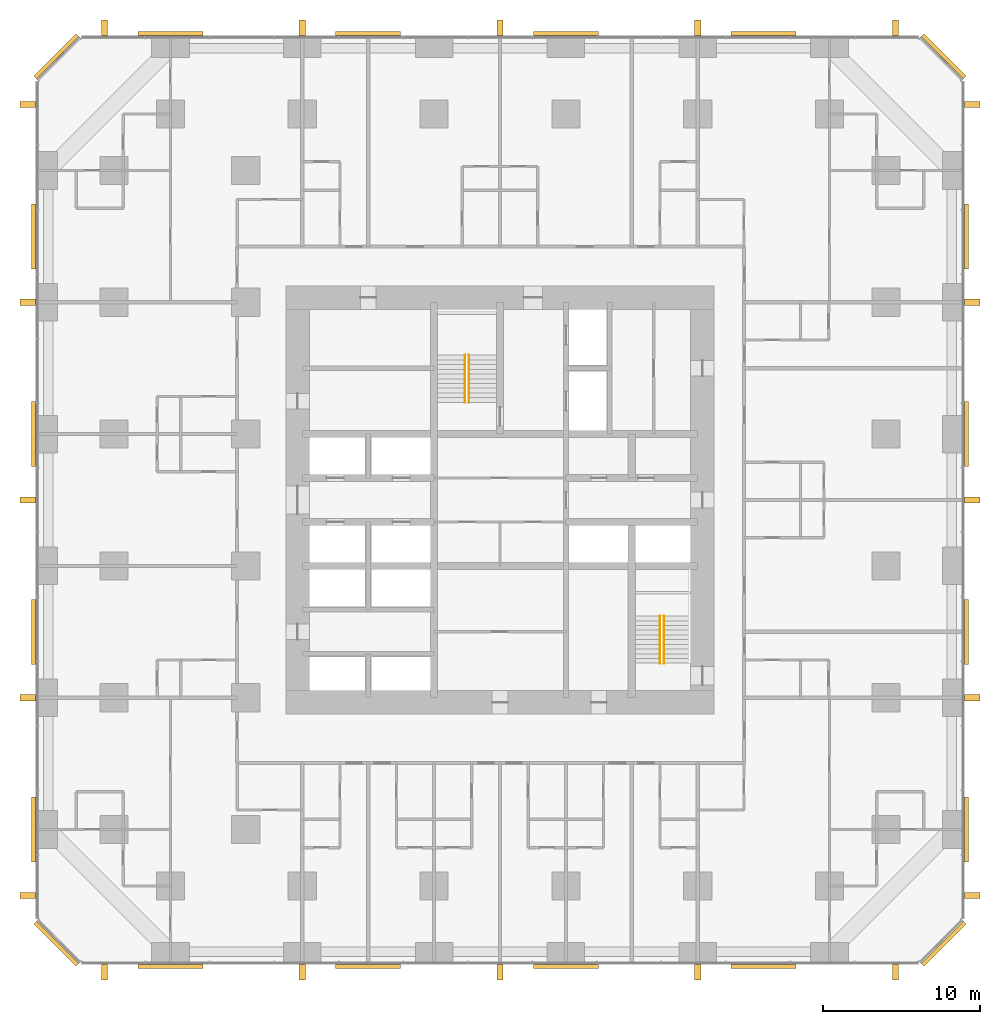
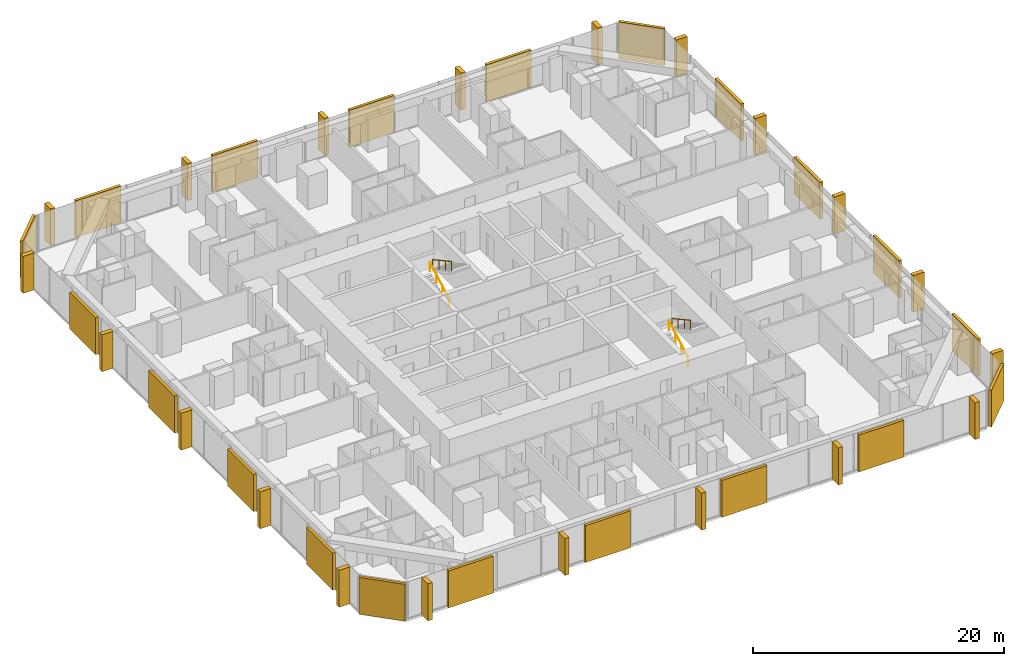
# One storey, part 17 of 17: 20 coverings, 20 shading devices, 4 railings.
"""IFC4 building model written with IfcOpenShell, lengths in metres."""

from ifc_helpers import new_model, si_unit, direction, frame, origin, origin_2d, place, context, subcontext, project, spatial, rectangle, circle, extrude, material, layer, layer_set, type_object, element, save


model = new_model("IFC4")

# Units and contexts
model_context = context("Model", 3, precision=1e-05, world=origin(), true_north=direction((0.0, 1.0)))
body_context = subcontext(model_context, "Body", "Model", "MODEL_VIEW")
ifc_project = project(units=[si_unit("LENGTHUNIT", "METRE"), si_unit("AREAUNIT", "SQUARE_METRE"), si_unit("VOLUMEUNIT", "CUBIC_METRE"), si_unit("PLANEANGLEUNIT", "RADIAN"), si_unit("MASSUNIT", "GRAM", prefix="KILO")], contexts=[model_context])

# Site, building, storey
site_placement = place(None, origin())
site = spatial("IfcSite", under=ifc_project, at=site_placement, CompositionType="ELEMENT")
building_placement = place(site_placement, origin())
building = spatial("IfcBuilding", under=site, at=building_placement, Name="Dunama Terrace Hotel", CompositionType="ELEMENT")
storey_placement = place(building_placement, frame((0.0, 0.0, 70.199951171875)))
storey = spatial("IfcBuildingStorey", under=building, at=storey_placement, Name="L17", CompositionType="ELEMENT", Elevation=70.199951171875)

# Railings
ifc_material_1 = material(Name="Stainless steel handrail", Category="steel")
railing_type = type_object("IfcRailingType", Name="Stair handrail 900", PredefinedType="HANDRAIL", material=ifc_material_1)
railing_1_placement = place(storey_placement, frame((27.175048828125, 35.625, 0.16357421875)))
element("IfcRailing", 1, at=railing_1_placement, inside=storey, type_object=railing_type, Name="Handrail ST1 L17", PredefinedType="HANDRAIL", context=body_context, shape_type="SweptSolid", body=[
    extrude(circle(Radius=0.02392578125, at=origin_2d()), frame((0.0, 0.0, 0.8759765625), z_axis=(0.0, 0.877881921179, 0.478877158013), x_axis=(-1.0, 0.0, 0.0)), (0.0, 0.0, 1.0), 3.417236328125),
    extrude(circle(Radius=0.02099609375, at=origin_2d()), origin(), (0.0, 0.0, 1.0), 0.851806640625),
    extrude(circle(Radius=0.02099609375, at=origin_2d()), frame((0.0, 1.0, 0.54541015625)), (0.0, 0.0, 1.0), 0.851806640625),
    extrude(circle(Radius=0.02099609375, at=origin_2d()), frame((0.0, 2.0, 1.091064453125)), (0.0, 0.0, 1.0), 0.851806640625),
    extrude(circle(Radius=0.02099609375, at=origin_2d()), frame((0.0, 3.0, 1.636474609375)), (0.0, 0.0, 1.0), 0.851806640625),
])
railing_2_placement = place(storey_placement, frame((27.425048828125, 38.625, 1.963623046875)))
element("IfcRailing", 2, at=railing_2_placement, inside=storey, type_object=railing_type, Name="Handrail ST1 L17", PredefinedType="HANDRAIL", context=body_context, shape_type="SweptSolid", body=[
    extrude(circle(Radius=0.02392578125, at=origin_2d()), frame((0.0, 0.0, 0.8759765625), z_axis=(0.0, -0.877881921179, 0.478877158013), x_axis=(1.0, 0.0, 0.0)), (0.0, 0.0, 1.0), 3.417236328125),
    extrude(circle(Radius=0.02099609375, at=origin_2d()), origin(), (0.0, 0.0, 1.0), 0.851806640625),
    extrude(circle(Radius=0.02099609375, at=origin_2d()), frame((0.0, -1.0, 0.54541015625)), (0.0, 0.0, 1.0), 0.851806640625),
    extrude(circle(Radius=0.02099609375, at=origin_2d()), frame((0.0, -2.0, 1.091064453125)), (0.0, 0.0, 1.0), 0.851806640625),
    extrude(circle(Radius=0.02099609375, at=origin_2d()), frame((0.0, -3.0, 1.636474609375)), (0.0, 0.0, 1.0), 0.851806640625),
])
railing_3_placement = place(storey_placement, frame((39.60009765625, 19.0, 0.16357421875)))
element("IfcRailing", 3, at=railing_3_placement, inside=storey, type_object=railing_type, Name="Handrail ST2 L17", PredefinedType="HANDRAIL", context=body_context, shape_type="SweptSolid", body=[
    extrude(circle(Radius=0.02392578125, at=origin_2d()), frame((0.0, 0.0, 0.8759765625), z_axis=(0.0, 0.877881921179, 0.478877158013), x_axis=(-1.0, 0.0, 0.0)), (0.0, 0.0, 1.0), 3.417236328125),
    extrude(circle(Radius=0.02099609375, at=origin_2d()), origin(), (0.0, 0.0, 1.0), 0.851806640625),
    extrude(circle(Radius=0.02099609375, at=origin_2d()), frame((0.0, 1.0, 0.54541015625)), (0.0, 0.0, 1.0), 0.851806640625),
    extrude(circle(Radius=0.02099609375, at=origin_2d()), frame((0.0, 2.0, 1.091064453125)), (0.0, 0.0, 1.0), 0.851806640625),
    extrude(circle(Radius=0.02099609375, at=origin_2d()), frame((0.0, 3.0, 1.636474609375)), (0.0, 0.0, 1.0), 0.851806640625),
])
railing_4_placement = place(storey_placement, frame((39.85009765625, 22.0, 1.963623046875)))
element("IfcRailing", 4, at=railing_4_placement, inside=storey, type_object=railing_type, Name="Handrail ST2 L17", PredefinedType="HANDRAIL", context=body_context, shape_type="SweptSolid", body=[
    extrude(circle(Radius=0.02392578125, at=origin_2d()), frame((0.0, 0.0, 0.8759765625), z_axis=(0.0, -0.877881921179, 0.478877158013), x_axis=(1.0, 0.0, 0.0)), (0.0, 0.0, 1.0), 3.417236328125),
    extrude(circle(Radius=0.02099609375, at=origin_2d()), origin(), (0.0, 0.0, 1.0), 0.851806640625),
    extrude(circle(Radius=0.02099609375, at=origin_2d()), frame((0.0, -1.0, 0.54541015625)), (0.0, 0.0, 1.0), 0.851806640625),
    extrude(circle(Radius=0.02099609375, at=origin_2d()), frame((0.0, -2.0, 1.091064453125)), (0.0, 0.0, 1.0), 0.851806640625),
    extrude(circle(Radius=0.02099609375, at=origin_2d()), frame((0.0, -3.0, 1.636474609375)), (0.0, 0.0, 1.0), 0.851806640625),
])

# Coverings
ifc_material_2 = material(Name="Warm reconstituted stone panel", Category="masonry")
ifc_layer_1 = layer(ifc_material_2, 0.25)
ifc_layer_set_1 = layer_set([ifc_layer_1], Name="Stone diagonal panel")
covering_type = type_object("IfcCoveringType", Name="Stone diagonal panel", PredefinedType="CLADDING", material=ifc_layer_set_1)
for number, where, z_axis, x_axis, name in (
    (5, (8.39990234375, -0.322998046875, 0.001953125), (0.0, 0.0, 1.0), (1.0, 0.0, 0.0), "Stone diagonal panel L17"),
    (6, (21.0, -0.322998046875, 0.001953125), (0.0, 0.0, 1.0), (1.0, 0.0, 0.0), "Stone diagonal panel L17"),
    (7, (33.60009765625, -0.322998046875, 0.001953125), (0.0, 0.0, 1.0), (1.0, 0.0, 0.0), "Stone diagonal panel L17"),
    (8, (46.199951171875, -0.322998046875, 0.001953125), (0.0, 0.0, 1.0), (1.0, 0.0, 0.0), "Stone diagonal panel L17"),
):
    element("IfcCovering", number, at=place(storey_placement, frame(where, z_axis=z_axis, x_axis=x_axis)), inside=storey, type_object=covering_type, Name=name, PredefinedType="CLADDING", context=body_context, shape_type="SweptSolid", body=[
        extrude(rectangle(XDim=4.14990234375, YDim=0.25, at=origin_2d()), origin(), (0.0, 0.0, 1.0), 3.595947265625),
    ])
covering_1_placement = place(storey_placement, frame((57.678955078125, 1.12109375, 0.001953125), z_axis=(0.0, 0.0, 1.0), x_axis=(0.707106781187, 0.707106781187, 0.0)))
element("IfcCovering", 9, at=covering_1_placement, inside=storey, type_object=covering_type, Name="Stone diagonal panel L17", PredefinedType="CLADDING", context=body_context, shape_type="SweptSolid", body=[
    extrude(rectangle(XDim=3.808349609375, YDim=0.25, at=origin_2d()), origin(), (0.0, 0.0, 1.0), 3.595947265625),
])
for number, where, z_axis, x_axis, name in (
    (10, (59.123046875, 8.39990234375, 0.001953125), (0.0, 0.0, 1.0), (0.0, 1.0, 0.0), "Stone diagonal panel L17"),
    (11, (59.123046875, 21.0, 0.001953125), (0.0, 0.0, 1.0), (0.0, 1.0, 0.0), "Stone diagonal panel L17"),
    (12, (59.123046875, 33.60009765625, 0.001953125), (0.0, 0.0, 1.0), (0.0, 1.0, 0.0), "Stone diagonal panel L17"),
    (13, (59.123046875, 46.199951171875, 0.001953125), (0.0, 0.0, 1.0), (0.0, 1.0, 0.0), "Stone diagonal panel L17"),
):
    element("IfcCovering", number, at=place(storey_placement, frame(where, z_axis=z_axis, x_axis=x_axis)), inside=storey, type_object=covering_type, Name=name, PredefinedType="CLADDING", context=body_context, shape_type="SweptSolid", body=[
        extrude(rectangle(XDim=4.14990234375, YDim=0.25, at=origin_2d()), origin(), (0.0, 0.0, 1.0), 3.595947265625),
    ])
covering_2_placement = place(storey_placement, frame((57.678955078125, 57.678955078125, 0.001953125), z_axis=(0.0, 0.0, 1.0), x_axis=(-0.707106781187, 0.707106781187, 0.0)))
element("IfcCovering", 14, at=covering_2_placement, inside=storey, type_object=covering_type, Name="Stone diagonal panel L17", PredefinedType="CLADDING", context=body_context, shape_type="SweptSolid", body=[
    extrude(rectangle(XDim=3.808349609375, YDim=0.25, at=origin_2d()), origin(), (0.0, 0.0, 1.0), 3.595947265625),
])
for number, where, z_axis, x_axis, name in (
    (15, (46.199951171875, 59.123046875, 0.001953125), (0.0, 0.0, 1.0), (-1.0, 0.0, 0.0), "Stone diagonal panel L17"),
    (16, (33.60009765625, 59.123046875, 0.001953125), (0.0, 0.0, 1.0), (-1.0, 0.0, 0.0), "Stone diagonal panel L17"),
    (17, (21.0, 59.123046875, 0.001953125), (0.0, 0.0, 1.0), (-1.0, 0.0, 0.0), "Stone diagonal panel L17"),
    (18, (8.39990234375, 59.123046875, 0.001953125), (0.0, 0.0, 1.0), (-1.0, 0.0, 0.0), "Stone diagonal panel L17"),
):
    element("IfcCovering", number, at=place(storey_placement, frame(where, z_axis=z_axis, x_axis=x_axis)), inside=storey, type_object=covering_type, Name=name, PredefinedType="CLADDING", context=body_context, shape_type="SweptSolid", body=[
        extrude(rectangle(XDim=4.14990234375, YDim=0.25, at=origin_2d()), origin(), (0.0, 0.0, 1.0), 3.595947265625),
    ])
covering_3_placement = place(storey_placement, frame((1.12109375, 57.678955078125, 0.001953125), z_axis=(0.0, 0.0, 1.0), x_axis=(-0.707106781187, -0.707106781187, 0.0)))
element("IfcCovering", 19, at=covering_3_placement, inside=storey, type_object=covering_type, Name="Stone diagonal panel L17", PredefinedType="CLADDING", context=body_context, shape_type="SweptSolid", body=[
    extrude(rectangle(XDim=3.808349609375, YDim=0.25, at=origin_2d()), origin(), (0.0, 0.0, 1.0), 3.595947265625),
])
for number, where, z_axis, x_axis, name in (
    (20, (-0.322998046875, 46.199951171875, 0.001953125), (0.0, 0.0, 1.0), (0.0, -1.0, 0.0), "Stone diagonal panel L17"),
    (21, (-0.322998046875, 33.60009765625, 0.001953125), (0.0, 0.0, 1.0), (0.0, -1.0, 0.0), "Stone diagonal panel L17"),
    (22, (-0.322998046875, 21.0, 0.001953125), (0.0, 0.0, 1.0), (0.0, -1.0, 0.0), "Stone diagonal panel L17"),
    (23, (-0.322998046875, 8.39990234375, 0.001953125), (0.0, 0.0, 1.0), (0.0, -1.0, 0.0), "Stone diagonal panel L17"),
):
    element("IfcCovering", number, at=place(storey_placement, frame(where, z_axis=z_axis, x_axis=x_axis)), inside=storey, type_object=covering_type, Name=name, PredefinedType="CLADDING", context=body_context, shape_type="SweptSolid", body=[
        extrude(rectangle(XDim=4.14990234375, YDim=0.25, at=origin_2d()), origin(), (0.0, 0.0, 1.0), 3.595947265625),
    ])
covering_4_placement = place(storey_placement, frame((1.12109375, 1.12109375, 0.001953125), z_axis=(0.0, 0.0, 1.0), x_axis=(0.707106781187, -0.707106781187, 0.0)))
element("IfcCovering", 24, at=covering_4_placement, inside=storey, type_object=covering_type, Name="Stone diagonal panel L17", PredefinedType="CLADDING", context=body_context, shape_type="SweptSolid", body=[
    extrude(rectangle(XDim=3.808349609375, YDim=0.25, at=origin_2d()), origin(), (0.0, 0.0, 1.0), 3.595947265625),
])

# Shading devices
ifc_material_3 = material(Name="Warm reconstituted stone fin", Category="masonry")
ifc_layer_2 = layer(ifc_material_3, 0.39990234375)
ifc_layer_set_2 = layer_set([ifc_layer_2], Name="Warm stone fin 400x1000")
shading_device_type = type_object("IfcShadingDeviceType", Name="Warm stone fin 400x1000", PredefinedType="USERDEFINED", material=ifc_layer_set_2)
for number, where, z_axis, x_axis, name in (
    (25, (4.199951171875, -0.68798828125, 0.0), (0.0, 0.0, 1.0), (1.0, 0.0, 0.0), "Stone fin"),
    (26, (16.800048828125, -0.68798828125, 0.0), (0.0, 0.0, 1.0), (1.0, 0.0, 0.0), "Stone fin"),
    (27, (29.39990234375, -0.68798828125, 0.0), (0.0, 0.0, 1.0), (1.0, 0.0, 0.0), "Stone fin"),
    (28, (42.0, -0.68798828125, 0.0), (0.0, 0.0, 1.0), (1.0, 0.0, 0.0), "Stone fin"),
    (29, (54.60009765625, -0.68798828125, 0.0), (0.0, 0.0, 1.0), (1.0, 0.0, 0.0), "Stone fin"),
    (30, (59.488037109375, 4.199951171875, 0.0), (0.0, 0.0, 1.0), (0.0, 1.0, 0.0), "Stone fin"),
    (31, (59.488037109375, 16.800048828125, 0.0), (0.0, 0.0, 1.0), (0.0, 1.0, 0.0), "Stone fin"),
    (32, (59.488037109375, 29.39990234375, 0.0), (0.0, 0.0, 1.0), (0.0, 1.0, 0.0), "Stone fin"),
    (33, (59.488037109375, 42.0, 0.0), (0.0, 0.0, 1.0), (0.0, 1.0, 0.0), "Stone fin"),
    (34, (59.488037109375, 54.60009765625, 0.0), (0.0, 0.0, 1.0), (0.0, 1.0, 0.0), "Stone fin"),
    (35, (54.60009765625, 59.488037109375, 0.0), (0.0, 0.0, 1.0), (-1.0, 0.0, 0.0), "Stone fin"),
    (36, (42.0, 59.488037109375, 0.0), (0.0, 0.0, 1.0), (-1.0, 0.0, 0.0), "Stone fin"),
    (37, (29.39990234375, 59.488037109375, 0.0), (0.0, 0.0, 1.0), (-1.0, 0.0, 0.0), "Stone fin"),
    (38, (16.800048828125, 59.488037109375, 0.0), (0.0, 0.0, 1.0), (-1.0, 0.0, 0.0), "Stone fin"),
    (39, (4.199951171875, 59.488037109375, 0.0), (0.0, 0.0, 1.0), (-1.0, 0.0, 0.0), "Stone fin"),
    (40, (-0.68798828125, 54.60009765625, 0.0), (0.0, 0.0, 1.0), (0.0, -1.0, 0.0), "Stone fin"),
    (41, (-0.68798828125, 42.0, 0.0), (0.0, 0.0, 1.0), (0.0, -1.0, 0.0), "Stone fin"),
    (42, (-0.68798828125, 29.39990234375, 0.0), (0.0, 0.0, 1.0), (0.0, -1.0, 0.0), "Stone fin"),
    (43, (-0.68798828125, 16.800048828125, 0.0), (0.0, 0.0, 1.0), (0.0, -1.0, 0.0), "Stone fin"),
    (44, (-0.68798828125, 4.199951171875, 0.0), (0.0, 0.0, 1.0), (0.0, -1.0, 0.0), "Stone fin"),
):
    element("IfcShadingDevice", number, at=place(storey_placement, frame(where, z_axis=z_axis, x_axis=x_axis)), inside=storey, type_object=shading_device_type, Name=name, ObjectType="FIN", PredefinedType="USERDEFINED", context=body_context, shape_type="SweptSolid", body=[
        extrude(rectangle(XDim=0.39990234375, YDim=1.0, at=origin_2d()), origin(), (0.0, 0.0, 1.0), 3.60009765625),
    ])

save(model, "model.ifc")
